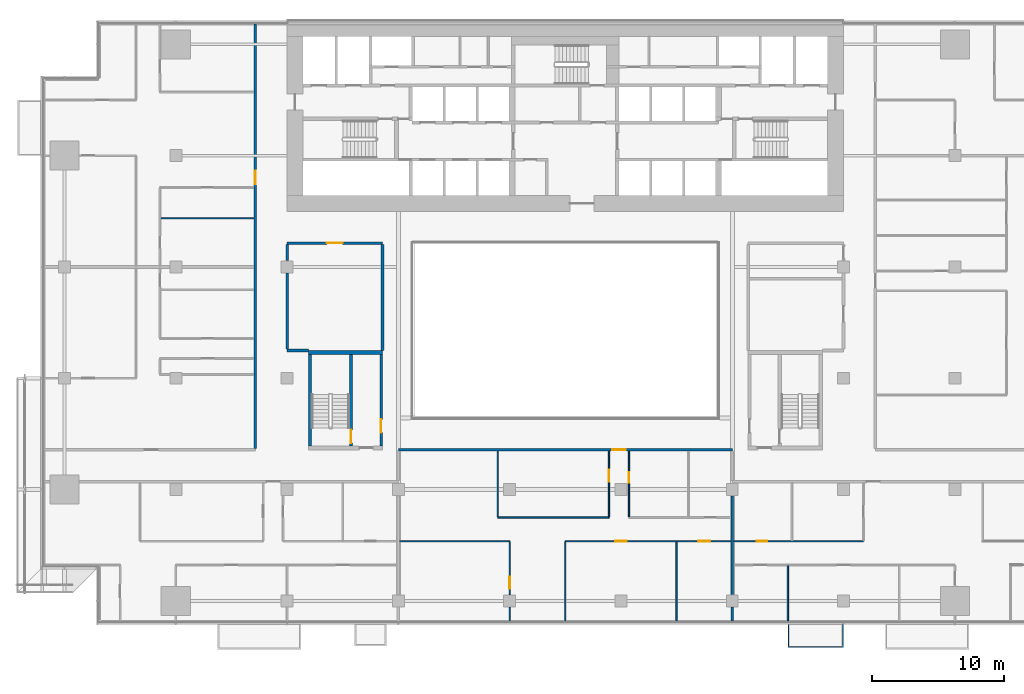
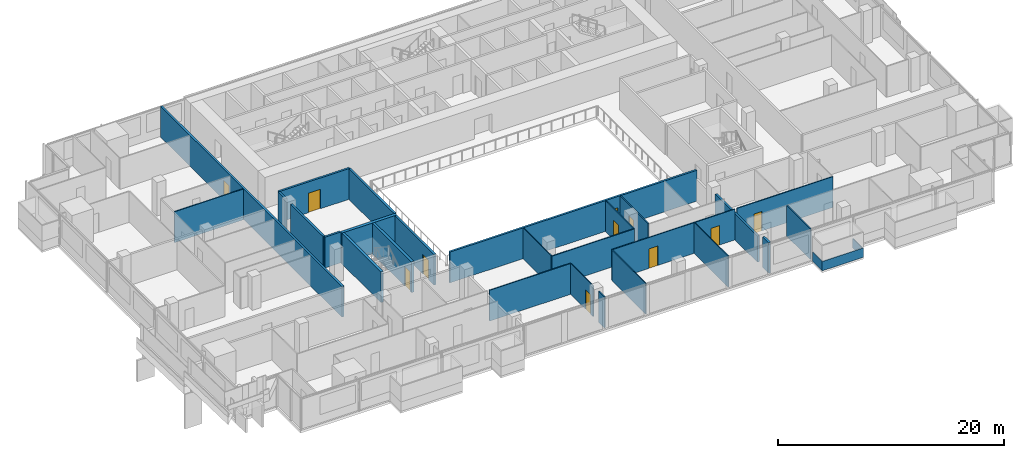
# One storey, part 19 of 29: 27 walls, 11 doors, 11 openings.
"""IFC4 building model written with IfcOpenShell, lengths in metres."""

from ifc_helpers import new_model, si_unit, direction, frame, frame_2d, origin, place, context, subcontext, project, spatial, polyline, rectangle, outline, extrude, material, layer, layer_set, type_object, element, fill, save


model = new_model("IFC4")

# Units and contexts
model_context = context("Model", 3, precision=1e-05, world=origin(), true_north=direction((0.0, 1.0)))
body_context = subcontext(model_context, "Body", "Model", "MODEL_VIEW")
ifc_project = project(units=[si_unit("LENGTHUNIT", "METRE"), si_unit("AREAUNIT", "SQUARE_METRE"), si_unit("VOLUMEUNIT", "CUBIC_METRE"), si_unit("PLANEANGLEUNIT", "RADIAN"), si_unit("MASSUNIT", "GRAM", prefix="KILO")], contexts=[model_context])

# Site, building, storey
site_placement = place(None, origin())
site = spatial("IfcSite", under=ifc_project, at=site_placement, CompositionType="ELEMENT")
building_placement = place(site_placement, origin())
building = spatial("IfcBuilding", under=site, at=building_placement, Name="Saffron Gate Tower", CompositionType="ELEMENT")
storey_placement = place(building_placement, frame((0.0, 0.0, 55.199951171875)))
storey = spatial("IfcBuildingStorey", under=building, at=storey_placement, Name="L12", CompositionType="ELEMENT", Elevation=55.199951171875)

# Wall, opening, door
ifc_material_1 = material(Name="Gypsum board partition on steel studs", Category="steel")
ifc_layer_1 = layer(ifc_material_1, 0.199951171875)
ifc_layer_set_1 = layer_set([ifc_layer_1], Name="CW10 Core partition 200")
wall_type_1 = type_object("IfcWallType", Name="CW10 Core partition 200", PredefinedType="PARTITIONING", material=ifc_layer_set_1)
wall_1_placement = place(storey_placement, frame((73.699951171875, 43.5, 0.0), z_axis=(0.0, 0.0, 1.0), x_axis=(0.0, 1.0, 0.0)))
wall_1 = element("IfcWall", 1, at=wall_1_placement, inside=storey, type_object=wall_type_1, Name="Wall CW10-L12-D-4", PredefinedType="PARTITIONING", context=body_context, shape_type="SweptSolid", body=[
    extrude(rectangle(XDim=6.89990234375, YDim=0.199951171875, at=frame_2d((3.449951171875, 0.0))), origin(), (0.0, 0.0, 1.0), 3.320068359375),
])
opening_1_placement = place(wall_1_placement, frame((1.0, 0.0, 0.0)))
opening_1 = element("IfcOpeningElement", 2, at=opening_1_placement, cuts=wall_1, Name="Opening CR-19", PredefinedType="OPENING", context=body_context, shape_type="SweptSolid", body=[
    extrude(rectangle(XDim=1.0, YDim=2.10009765625, at=frame_2d((0.5, 1.050048828125))), frame((0.0, 0.10986328125, 0.0), z_axis=(0.0, -1.0, 0.0), x_axis=(1.0, 0.0, 0.0)), (0.0, 0.0, 1.0), 0.219970703125),
])
ifc_material_2 = material(Name="Steel fire door set", Category="steel")
door_type_1 = type_object("IfcDoorType", Name="CD4 Lobby door 1000x2100 EI 120", OperationType="NOTDEFINED", PredefinedType="DOOR", material=ifc_material_2)
door_1_placement = place(opening_1_placement, origin())
door_1 = element("IfcDoor", 3, at=door_1_placement, inside=storey, type_object=door_type_1, Name="DOOR CR-19", OperationType="SINGLE_SWING_RIGHT", OverallHeight=2.10009765625, OverallWidth=1.0, PredefinedType="DOOR", context=body_context, shape_type="SweptSolid", body=[
    extrude(rectangle(XDim=1.0, YDim=2.10009765625, at=frame_2d((0.5, 1.050048828125))), frame((0.0, 0.02490234375, 0.0), z_axis=(0.0, -1.0, 0.0), x_axis=(1.0, 0.0, 0.0)), (0.0, 0.0, 1.0), 0.050048828125),
])
fill(opening_1, door_1)

# Wall
ifc_material_3 = material(Name="Concrete C70", Category="concrete")
ifc_layer_2 = layer(ifc_material_3, 0.25)
ifc_layer_set_2 = layer_set([ifc_layer_2], Name="CW2 RC core wall 250 C70")
wall_type_2 = type_object("IfcWallType", Name="CW2 RC core wall 250 C70", PredefinedType="SOLIDWALL", material=ifc_layer_set_2)
wall_2_placement = place(storey_placement, frame((68.324951171875, 43.5, 0.0), z_axis=(0.0, 0.0, 1.0), x_axis=(0.0, 1.0, 0.0)))
element("IfcWall", 4, at=wall_2_placement, inside=storey, type_object=wall_type_2, Name="Wall CW2-L12-D-2", PredefinedType="SOLIDWALL", context=body_context, shape_type="SweptSolid", body=[
    extrude(rectangle(XDim=6.89990234375, YDim=0.25, at=frame_2d((3.449951171875, 0.0))), origin(), (0.0, 0.0, 1.0), 3.320068359375),
])

# Wall, opening, door
wall_3_placement = place(storey_placement, frame((71.425048828125, 43.5, 0.0), z_axis=(0.0, 0.0, 1.0), x_axis=(0.0, 1.0, 0.0)))
wall_3 = element("IfcWall", 5, at=wall_3_placement, inside=storey, type_object=wall_type_2, Name="Wall CW2-L12-D-3", PredefinedType="SOLIDWALL", context=body_context, shape_type="SweptSolid", body=[
    extrude(rectangle(XDim=6.89990234375, YDim=0.25, at=frame_2d((3.449951171875, 0.0))), origin(), (0.0, 0.0, 1.0), 3.320068359375),
])
opening_2_placement = place(wall_3_placement, frame((0.199951171875, 0.0, 0.0)))
opening_2 = element("IfcOpeningElement", 6, at=opening_2_placement, cuts=wall_3, Name="Opening CR-20", PredefinedType="OPENING", context=body_context, shape_type="SweptSolid", body=[
    extrude(rectangle(XDim=1.0, YDim=2.10009765625, at=frame_2d((0.5, 1.050048828125))), frame((0.0, 0.135009765625, 0.0), z_axis=(0.0, -1.0, 0.0), x_axis=(1.0, 0.0, 0.0)), (0.0, 0.0, 1.0), 0.27001953125),
])
door_type_2 = type_object("IfcDoorType", Name="CD5 Stair door 1000x2100 EI 120", OperationType="NOTDEFINED", PredefinedType="DOOR", material=ifc_material_2)
door_2_placement = place(opening_2_placement, origin())
door_2 = element("IfcDoor", 7, at=door_2_placement, inside=storey, type_object=door_type_2, Name="DOOR CR-20", OperationType="SINGLE_SWING_LEFT", OverallHeight=2.10009765625, OverallWidth=1.0, PredefinedType="DOOR", context=body_context, shape_type="SweptSolid", body=[
    extrude(rectangle(XDim=1.0, YDim=2.10009765625, at=frame_2d((0.5, 1.050048828125))), frame((0.0, 0.02490234375, 0.0), z_axis=(0.0, -1.0, 0.0), x_axis=(1.0, 0.0, 0.0)), (0.0, 0.0, 1.0), 0.050048828125),
])
fill(opening_2, door_2)

# Walls
ifc_layer_3 = layer(ifc_material_3, 0.300048828125)
ifc_layer_set_3 = layer_set([ifc_layer_3], Name="CW5 RC core wall 300 C70")
wall_type_3 = type_object("IfcWallType", Name="CW5 RC core wall 300 C70", PredefinedType="SOLIDWALL", material=ifc_layer_set_3)
wall_4_placement = place(storey_placement, frame((68.199951171875, 50.550048828125, 0.0), z_axis=(0.0, 0.0, 1.0), x_axis=(1.0, 0.0, 0.0)))
element("IfcWall", 8, at=wall_4_placement, inside=storey, type_object=wall_type_3, Name="Wall CW5-L12-D-5", PredefinedType="SOLIDWALL", context=body_context, shape_type="SweptSolid", body=[
    extrude(rectangle(XDim=5.60009765625, YDim=0.300048828125, at=frame_2d((2.800048828125, 0.0))), origin(), (0.0, 0.0, 1.0), 3.320068359375),
])
ifc_material_4 = material(Name="Plasterboard on steel studs", Category="steel")
ifc_layer_4 = layer(ifc_material_4, 0.10009765625)
ifc_layer_set_4 = layer_set([ifc_layer_4], Name="PW1 Partition 100")
wall_type_4 = type_object("IfcWallType", Name="PW1 Partition 100", PredefinedType="PARTITIONING", material=ifc_layer_set_4)
wall_5_placement = place(storey_placement, frame((82.5, 38.10009765625, 0.0), z_axis=(0.0, 0.0, 1.0), x_axis=(1.0, 0.0, 0.0)))
element("IfcWall", 9, at=wall_5_placement, inside=storey, type_object=wall_type_4, Name="Partition A2-7", PredefinedType="PARTITIONING", context=body_context, shape_type="SweptSolid", body=[
    extrude(rectangle(XDim=8.39990234375, YDim=0.10009765625, at=frame_2d((4.199951171875, 0.0))), origin(), (0.0, 0.0, 1.0), 3.320068359375),
])
wall_6_placement = place(storey_placement, frame((57.050048828125, 60.6806640625, 0.0), z_axis=(0.0, 0.0, 1.0), x_axis=(1.0, 0.0, 0.0)))
element("IfcWall", 10, at=wall_6_placement, inside=storey, type_object=wall_type_4, Name="Partition A2-40", PredefinedType="PARTITIONING", context=body_context, shape_type="SweptSolid", body=[
    extrude(rectangle(XDim=7.050048828125, YDim=0.10009765625, at=frame_2d((3.52490234375, 0.0))), origin(), (0.0, 0.0, 1.0), 3.320068359375),
])
wall_7_placement = place(storey_placement, frame((82.5, 43.10009765625, 0.0), z_axis=(0.0, 0.0, 1.0), x_axis=(0.0, -1.0, 0.0)))
element("IfcWall", 11, at=wall_7_placement, inside=storey, type_object=wall_type_4, Name="Partition A2-71", PredefinedType="PARTITIONING", context=body_context, shape_type="SweptSolid", body=[
    extrude(rectangle(XDim=4.9501953125, YDim=0.10009765625, at=frame_2d((2.47509765625, 0.0))), origin(), (0.0, 0.0, 1.0), 3.320068359375),
])
wall_8_placement = place(storey_placement, frame((83.39990234375, 31.330078125, 0.0), z_axis=(0.0, 0.0, 1.0), x_axis=(0.0, -1.0, 0.0)))
element("IfcWall", 12, at=wall_8_placement, inside=storey, type_object=wall_type_4, Name="Partition A2-72", PredefinedType="PARTITIONING", context=body_context, shape_type="SweptSolid", body=[
    extrude(rectangle(XDim=1.050048828125, YDim=0.10009765625, at=frame_2d((0.52490234375, 0.0))), origin(), (0.0, 0.0, 1.0), 3.320068359375),
])

# Wall, opening, door
wall_9_placement = place(storey_placement, frame((83.39990234375, 32.27001953125, 0.0), z_axis=(0.0, 0.0, 1.0), x_axis=(0.0, 1.0, 0.0)))
wall_9 = element("IfcWall", 13, at=wall_9_placement, inside=storey, type_object=wall_type_4, Name="Partition A2-73", PredefinedType="PARTITIONING", context=body_context, shape_type="SweptSolid", body=[
    extrude(rectangle(XDim=3.97998046875, YDim=0.10009765625, at=frame_2d((1.989990234375, 0.0))), origin(), (0.0, 0.0, 1.0), 3.320068359375),
])
opening_3_placement = place(wall_9_placement, frame((0.429931640625, 0.0, 0.0)))
opening_3 = element("IfcOpeningElement", 14, at=opening_3_placement, cuts=wall_9, Name="Opening A2-12", PredefinedType="OPENING", context=body_context, shape_type="SweptSolid", body=[
    extrude(rectangle(XDim=0.89990234375, YDim=2.10009765625, at=frame_2d((0.449951171875, 1.050048828125))), frame((0.0, 0.06005859375, 0.0), z_axis=(0.0, -1.0, 0.0), x_axis=(1.0, 0.0, 0.0)), (0.0, 0.0, 1.0), 0.1201171875),
])
ifc_material_5 = material(Name="Timber door set", Category="wood")
door_type_3 = type_object("IfcDoorType", Name="RD1 Room door 900x2100", OperationType="NOTDEFINED", PredefinedType="DOOR", material=ifc_material_5)
door_3_placement = place(opening_3_placement, origin())
door_3 = element("IfcDoor", 15, at=door_3_placement, inside=storey, type_object=door_type_3, Name="Door A2-12", OperationType="SINGLE_SWING_LEFT", OverallHeight=2.10009765625, OverallWidth=0.89990234375, PredefinedType="DOOR", context=body_context, shape_type="SweptSolid", body=[
    extrude(rectangle(XDim=0.89990234375, YDim=2.10009765625, at=frame_2d((0.449951171875, 1.050048828125))), frame((0.0, 0.02490234375, 0.0), z_axis=(0.0, -1.0, 0.0), x_axis=(1.0, 0.0, 0.0)), (0.0, 0.0, 1.0), 0.050048828125),
])
fill(opening_3, door_3)

# Wall
wall_10_placement = place(storey_placement, frame((87.60009765625, 36.25, 0.0), z_axis=(0.0, 0.0, 1.0), x_axis=(0.0, -1.0, 0.0)))
element("IfcWall", 16, at=wall_10_placement, inside=storey, type_object=wall_type_4, Name="Partition A2-74", PredefinedType="PARTITIONING", context=body_context, shape_type="SweptSolid", body=[
    extrude(rectangle(XDim=5.969970703125, YDim=0.10009765625, at=frame_2d((2.98486328125, 0.0))), origin(), (0.0, 0.0, 1.0), 3.320068359375),
])

# Wall, opening, door
wall_11_placement = place(storey_placement, frame((90.89990234375, 38.14990234375, 0.0), z_axis=(0.0, 0.0, 1.0), x_axis=(0.0, 1.0, 0.0)))
wall_11 = element("IfcWall", 17, at=wall_11_placement, inside=storey, type_object=wall_type_4, Name="Partition A2-75", PredefinedType="PARTITIONING", context=body_context, shape_type="SweptSolid", body=[
    extrude(rectangle(XDim=4.9501953125, YDim=0.10009765625, at=frame_2d((2.47509765625, 0.0))), origin(), (0.0, 0.0, 1.0), 3.320068359375),
])
opening_4_placement = place(wall_11_placement, frame((2.64990234375, 0.0, 0.0)))
opening_4 = element("IfcOpeningElement", 18, at=opening_4_placement, cuts=wall_11, Name="Opening A2-15", PredefinedType="OPENING", context=body_context, shape_type="SweptSolid", body=[
    extrude(rectangle(XDim=0.89990234375, YDim=2.10009765625, at=frame_2d((0.449951171875, 1.050048828125))), frame((0.0, 0.06005859375, 0.0), z_axis=(0.0, -1.0, 0.0), x_axis=(1.0, 0.0, 0.0)), (0.0, 0.0, 1.0), 0.1201171875),
])
door_4_placement = place(opening_4_placement, origin())
door_4 = element("IfcDoor", 19, at=door_4_placement, inside=storey, type_object=door_type_3, Name="Door A2-15", OperationType="SINGLE_SWING_RIGHT", OverallHeight=2.10009765625, OverallWidth=0.89990234375, PredefinedType="DOOR", context=body_context, shape_type="SweptSolid", body=[
    extrude(rectangle(XDim=0.89990234375, YDim=2.10009765625, at=frame_2d((0.449951171875, 1.050048828125))), frame((0.0, 0.02490234375, 0.0), z_axis=(0.0, -1.0, 0.0), x_axis=(1.0, 0.0, 0.0)), (0.0, 0.0, 1.0), 0.050048828125),
])
fill(opening_4, door_4)

wall_12_placement = place(storey_placement, frame((92.39990234375, 43.10009765625, 0.0), z_axis=(0.0, 0.0, 1.0), x_axis=(0.0, -1.0, 0.0)))
wall_12 = element("IfcWall", 20, at=wall_12_placement, inside=storey, type_object=wall_type_4, Name="Partition A2-76", PredefinedType="PARTITIONING", context=body_context, shape_type="SweptSolid", body=[
    extrude(rectangle(XDim=4.9501953125, YDim=0.10009765625, at=frame_2d((2.47509765625, 0.0))), origin(), (0.0, 0.0, 1.0), 3.320068359375),
])
opening_5_placement = place(wall_12_placement, frame((1.60009765625, 0.0, 0.0)))
opening_5 = element("IfcOpeningElement", 21, at=opening_5_placement, cuts=wall_12, Name="Opening A2-35", PredefinedType="OPENING", context=body_context, shape_type="SweptSolid", body=[
    extrude(rectangle(XDim=0.800048828125, YDim=2.10009765625, at=frame_2d((0.39990234375, 1.050048828125))), frame((0.0, 0.06005859375, 0.0), z_axis=(0.0, -1.0, 0.0), x_axis=(1.0, 0.0, 0.0)), (0.0, 0.0, 1.0), 0.1201171875),
])
door_type_4 = type_object("IfcDoorType", Name="RD2 Bathroom door 800x2100", OperationType="NOTDEFINED", PredefinedType="DOOR", material=ifc_material_5)
door_5_placement = place(opening_5_placement, origin())
door_5 = element("IfcDoor", 22, at=door_5_placement, inside=storey, type_object=door_type_4, Name="Door A2-35", OperationType="SINGLE_SWING_LEFT", OverallHeight=2.10009765625, OverallWidth=0.800048828125, PredefinedType="DOOR", context=body_context, shape_type="SweptSolid", body=[
    extrude(rectangle(XDim=0.800048828125, YDim=2.10009765625, at=frame_2d((0.39990234375, 1.050048828125))), frame((0.0, 0.02490234375, 0.0), z_axis=(0.0, -1.0, 0.0), x_axis=(1.0, 0.0, 0.0)), (0.0, 0.0, 1.0), 0.050048828125),
])
fill(opening_5, door_5)

# Walls
wall_13_placement = place(storey_placement, frame((96.0, 36.25, 0.0), z_axis=(0.0, 0.0, 1.0), x_axis=(0.0, -1.0, 0.0)))
element("IfcWall", 23, at=wall_13_placement, inside=storey, type_object=wall_type_4, Name="Partition A2-77", PredefinedType="PARTITIONING", context=body_context, shape_type="SweptSolid", body=[
    extrude(rectangle(XDim=5.969970703125, YDim=0.10009765625, at=frame_2d((2.98486328125, 0.0))), origin(), (0.0, 0.0, 1.0), 3.320068359375),
])
wall_14_placement = place(storey_placement, frame((104.39990234375, 34.449951171875, 0.0), z_axis=(0.0, 0.0, 1.0), x_axis=(0.0, -1.0, 0.0)))
element("IfcWall", 24, at=wall_14_placement, inside=storey, type_object=wall_type_4, Name="Partition A2-83", PredefinedType="PARTITIONING", context=body_context, shape_type="SweptSolid", body=[
    extrude(rectangle(XDim=4.169921875, YDim=0.10009765625, at=frame_2d((2.0849609375, 0.0))), origin(), (0.0, 0.0, 1.0), 3.320068359375),
])
wall_15_placement = place(storey_placement, frame((75.10009765625, 36.300048828125, 0.0), z_axis=(0.0, 0.0, 1.0), x_axis=(1.0, 0.0, 0.0)))
element("IfcWall", 25, at=wall_15_placement, inside=storey, type_object=wall_type_4, Name="Partition A2-100", PredefinedType="PARTITIONING", context=body_context, shape_type="SweptSolid", body=[
    extrude(rectangle(XDim=8.2998046875, YDim=0.10009765625, at=frame_2d((4.14990234375, 0.0))), origin(), (0.0, 0.0, 1.0), 3.320068359375),
])

# Wall, openings, doors
wall_16_placement = place(storey_placement, frame((100.10009765625, 36.300048828125, 0.0), z_axis=(0.0, 0.0, 1.0), x_axis=(-1.0, 0.0, 0.0)))
wall_16 = element("IfcWall", 26, at=wall_16_placement, inside=storey, type_object=wall_type_4, Name="Partition A2-101", PredefinedType="PARTITIONING", context=body_context, shape_type="SweptSolid", body=[
    extrude(rectangle(XDim=12.5, YDim=0.10009765625, at=frame_2d((6.25, 0.0))), origin(), (0.0, 0.0, 1.0), 3.320068359375),
])
opening_6_placement = place(wall_16_placement, frame((1.550048828125, 0.0, 0.0)))
opening_6 = element("IfcOpeningElement", 27, at=opening_6_placement, cuts=wall_16, Name="Opening A2-14", PredefinedType="OPENING", context=body_context, shape_type="SweptSolid", body=[
    extrude(rectangle(XDim=0.89990234375, YDim=2.10009765625, at=frame_2d((0.449951171875, 1.050048828125))), frame((0.0, 0.06005859375, 0.0), z_axis=(0.0, -1.0, 0.0), x_axis=(1.0, 0.0, 0.0)), (0.0, 0.0, 1.0), 0.1201171875),
])
opening_7_placement = place(wall_16_placement, frame((7.85009765625, 0.0, 0.0)))
opening_7 = element("IfcOpeningElement", 28, at=opening_7_placement, cuts=wall_16, Name="Opening A2-13", PredefinedType="OPENING", context=body_context, shape_type="SweptSolid", body=[
    extrude(rectangle(XDim=0.89990234375, YDim=2.10009765625, at=frame_2d((0.449951171875, 1.050048828125))), frame((0.0, 0.06005859375, 0.0), z_axis=(0.0, -1.0, 0.0), x_axis=(1.0, 0.0, 0.0)), (0.0, 0.0, 1.0), 0.1201171875),
])
door_6_placement = place(opening_6_placement, origin())
door_6 = element("IfcDoor", 29, at=door_6_placement, inside=storey, type_object=door_type_3, Name="Door A2-14", OperationType="SINGLE_SWING_LEFT", OverallHeight=2.10009765625, OverallWidth=0.89990234375, PredefinedType="DOOR", context=body_context, shape_type="SweptSolid", body=[
    extrude(rectangle(XDim=0.89990234375, YDim=2.10009765625, at=frame_2d((0.449951171875, 1.050048828125))), frame((0.0, 0.02490234375, 0.0), z_axis=(0.0, -1.0, 0.0), x_axis=(1.0, 0.0, 0.0)), (0.0, 0.0, 1.0), 0.050048828125),
])
fill(opening_6, door_6)
door_7_placement = place(opening_7_placement, origin())
door_7 = element("IfcDoor", 30, at=door_7_placement, inside=storey, type_object=door_type_3, Name="Door A2-13", OperationType="SINGLE_SWING_RIGHT", OverallHeight=2.10009765625, OverallWidth=0.89990234375, PredefinedType="DOOR", context=body_context, shape_type="SweptSolid", body=[
    extrude(rectangle(XDim=0.89990234375, YDim=2.10009765625, at=frame_2d((0.449951171875, 1.050048828125))), frame((0.0, 0.02490234375, 0.0), z_axis=(0.0, -1.0, 0.0), x_axis=(1.0, 0.0, 0.0)), (0.0, 0.0, 1.0), 0.050048828125),
])
fill(opening_7, door_7)

# Wall, opening, door
wall_17_placement = place(storey_placement, frame((100.300048828125, 36.300048828125, 0.0), z_axis=(0.0, 0.0, 1.0), x_axis=(1.0, 0.0, 0.0)))
wall_17 = element("IfcWall", 31, at=wall_17_placement, inside=storey, type_object=wall_type_4, Name="Partition A2-102", PredefinedType="PARTITIONING", context=body_context, shape_type="SweptSolid", body=[
    extrude(rectangle(XDim=9.800048828125, YDim=0.10009765625, at=frame_2d((4.89990234375, 0.0))), origin(), (0.0, 0.0, 1.0), 3.320068359375),
])
opening_8_placement = place(wall_17_placement, frame((1.75, 0.0, 0.0)))
opening_8 = element("IfcOpeningElement", 32, at=opening_8_placement, cuts=wall_17, Name="Opening A2-37", PredefinedType="OPENING", context=body_context, shape_type="SweptSolid", body=[
    extrude(rectangle(XDim=0.800048828125, YDim=2.10009765625, at=frame_2d((0.39990234375, 1.050048828125))), frame((0.0, 0.06005859375, 0.0), z_axis=(0.0, -1.0, 0.0), x_axis=(1.0, 0.0, 0.0)), (0.0, 0.0, 1.0), 0.1201171875),
])
door_8_placement = place(opening_8_placement, origin())
door_8 = element("IfcDoor", 33, at=door_8_placement, inside=storey, type_object=door_type_4, Name="Door A2-37", OperationType="SINGLE_SWING_LEFT", OverallHeight=2.10009765625, OverallWidth=0.800048828125, PredefinedType="DOOR", context=body_context, shape_type="SweptSolid", body=[
    extrude(rectangle(XDim=0.800048828125, YDim=2.10009765625, at=frame_2d((0.39990234375, 1.050048828125))), frame((0.0, 0.02490234375, 0.0), z_axis=(0.0, -1.0, 0.0), x_axis=(1.0, 0.0, 0.0)), (0.0, 0.0, 1.0), 0.050048828125),
])
fill(opening_8, door_8)

# Walls
ifc_material_6 = material(Name="Clay brick masonry, rendered", Category="masonry")
ifc_layer_5 = layer(ifc_material_6, 0.199951171875)
ifc_layer_set_5 = layer_set([ifc_layer_5], Name="PW2 Demising wall 200")
wall_type_5 = type_object("IfcWallType", Name="PW2 Demising wall 200", PredefinedType="PARTITIONING", material=ifc_layer_set_5)
wall_18_placement = place(storey_placement, frame((100.199951171875, 31.330078125, 0.0), z_axis=(0.0, 0.0, 1.0), x_axis=(0.0, -1.0, 0.0)))
element("IfcWall", 34, at=wall_18_placement, inside=storey, type_object=wall_type_5, Name="Wall A2-80", PredefinedType="PARTITIONING", context=body_context, shape_type="SweptSolid", body=[
    extrude(rectangle(XDim=1.050048828125, YDim=0.199951171875, at=frame_2d((0.52490234375, 0.0))), origin(), (0.0, 0.0, 1.0), 3.320068359375),
])
wall_19_placement = place(storey_placement, frame((100.199951171875, 39.72998046875, 0.0), z_axis=(0.0, 0.0, 1.0), x_axis=(0.0, -1.0, 0.0)))
element("IfcWall", 35, at=wall_19_placement, inside=storey, type_object=wall_type_5, Name="Wall A2-81", PredefinedType="PARTITIONING", context=body_context, shape_type="SweptSolid", body=[
    extrude(rectangle(XDim=7.4599609375, YDim=0.199951171875, at=frame_2d((3.72998046875, 0.0))), origin(), (0.0, 0.0, 1.0), 2.830078125),
])

# Wall, opening, door
ifc_layer_6 = layer(ifc_material_6, 0.199951171875)
ifc_layer_set_6 = layer_set([ifc_layer_6], Name="PW3 Corridor wall 200")
wall_type_6 = type_object("IfcWallType", Name="PW3 Corridor wall 200", PredefinedType="PARTITIONING", material=ifc_layer_set_6)
wall_20_placement = place(storey_placement, frame((100.199951171875, 43.199951171875, 0.0), z_axis=(0.0, 0.0, 1.0), x_axis=(-1.0, 0.0, 0.0)))
wall_20 = element("IfcWall", 36, at=wall_20_placement, inside=storey, type_object=wall_type_6, Name="Wall A2-14", PredefinedType="PARTITIONING", context=body_context, shape_type="SweptSolid", body=[
    extrude(rectangle(XDim=25.199951171875, YDim=0.199951171875, at=frame_2d((12.60009765625, 0.0))), origin(), (0.0, 0.0, 1.0), 3.320068359375),
])
opening_9_placement = place(wall_20_placement, frame((8.050048828125, 0.0, 0.0)))
opening_9 = element("IfcOpeningElement", 37, at=opening_9_placement, cuts=wall_20, Name="Opening A2-2", PredefinedType="OPENING", context=body_context, shape_type="SweptSolid", body=[
    extrude(rectangle(XDim=1.0, YDim=2.10009765625, at=frame_2d((0.5, 1.050048828125))), frame((0.0, 0.10986328125, 0.0), z_axis=(0.0, -1.0, 0.0), x_axis=(1.0, 0.0, 0.0)), (0.0, 0.0, 1.0), 0.219970703125),
])
ifc_material_7 = material(Name="Timber fire door set", Category="wood")
door_type_5 = type_object("IfcDoorType", Name="FD1 Flat entry door 1000x2100", OperationType="NOTDEFINED", PredefinedType="DOOR", material=ifc_material_7)
door_9_placement = place(opening_9_placement, origin())
door_9 = element("IfcDoor", 38, at=door_9_placement, inside=storey, type_object=door_type_5, Name="Door A2-2", OperationType="SINGLE_SWING_RIGHT", OverallHeight=2.10009765625, OverallWidth=1.0, PredefinedType="DOOR", context=body_context, shape_type="SweptSolid", body=[
    extrude(rectangle(XDim=1.0, YDim=2.10009765625, at=frame_2d((0.5, 1.050048828125))), frame((0.0, 0.02490234375, 0.0), z_axis=(0.0, -1.0, 0.0), x_axis=(1.0, 0.0, 0.0)), (0.0, 0.0, 1.0), 0.050048828125),
])
fill(opening_9, door_9)

# Wall
wall_21_placement = place(storey_placement, frame((66.60009765625, 50.699951171875, 0.0), z_axis=(0.0, 0.0, 1.0), x_axis=(1.0, 0.0, 0.0)))
element("IfcWall", 39, at=wall_21_placement, inside=storey, type_object=wall_type_6, Name="Wall A2-24", PredefinedType="PARTITIONING", context=body_context, shape_type="SweptSolid", body=[
    extrude(rectangle(XDim=1.599853515625, YDim=0.199951171875, at=frame_2d((0.7998046875, 0.0))), origin(), (0.0, 0.0, 1.0), 3.320068359375),
])

# Wall, opening, door
wall_22_placement = place(storey_placement, frame((73.800048828125, 58.800048828125, 0.0), z_axis=(0.0, 0.0, 1.0), x_axis=(-1.0, 0.0, 0.0)))
wall_22 = element("IfcWall", 40, at=wall_22_placement, inside=storey, type_object=wall_type_6, Name="Wall A2-37", PredefinedType="PARTITIONING", context=body_context, shape_type="SweptSolid", body=[
    extrude(rectangle(XDim=7.199951171875, YDim=0.199951171875, at=frame_2d((3.60009765625, 0.0))), origin(), (0.0, 0.0, 1.0), 3.320068359375),
])
opening_10_placement = place(wall_22_placement, frame((3.0, 0.0, 0.0)))
opening_10 = element("IfcOpeningElement", 41, at=opening_10_placement, cuts=wall_22, Name="Opening A2-46", PredefinedType="OPENING", context=body_context, shape_type="SweptSolid", body=[
    extrude(rectangle(XDim=1.199951171875, YDim=2.10009765625, at=frame_2d((0.60009765625, 1.050048828125))), frame((0.0, 0.10986328125, 0.0), z_axis=(0.0, -1.0, 0.0), x_axis=(1.0, 0.0, 0.0)), (0.0, 0.0, 1.0), 0.219970703125),
])
door_type_6 = type_object("IfcDoorType", Name="HD1 Hall door 1200x2100", OperationType="NOTDEFINED", PredefinedType="DOOR", material=ifc_material_5)
door_10_placement = place(opening_10_placement, origin())
door_10 = element("IfcDoor", 42, at=door_10_placement, inside=storey, type_object=door_type_6, Name="Door A2-46", OperationType="SINGLE_SWING_LEFT", OverallHeight=2.10009765625, OverallWidth=1.199951171875, PredefinedType="DOOR", context=body_context, shape_type="SweptSolid", body=[
    extrude(rectangle(XDim=1.199951171875, YDim=2.10009765625, at=frame_2d((0.60009765625, 1.050048828125))), frame((0.0, 0.02490234375, 0.0), z_axis=(0.0, -1.0, 0.0), x_axis=(1.0, 0.0, 0.0)), (0.0, 0.0, 1.0), 0.050048828125),
])
fill(opening_10, door_10)

wall_23_placement = place(storey_placement, frame((64.199951171875, 43.300048828125, 0.0), z_axis=(0.0, 0.0, 1.0), x_axis=(0.0, 1.0, 0.0)))
wall_23 = element("IfcWall", 43, at=wall_23_placement, inside=storey, type_object=wall_type_6, Name="Wall A2-59", PredefinedType="PARTITIONING", context=body_context, shape_type="SweptSolid", body=[
    extrude(rectangle(XDim=32.02001953125, YDim=0.199951171875, at=frame_2d((16.010009765625, 0.0))), origin(), (0.0, 0.0, 1.0), 3.320068359375),
])
opening_11_placement = place(wall_23_placement, frame((19.949951171875, 0.0, 0.0)))
opening_11 = element("IfcOpeningElement", 44, at=opening_11_placement, cuts=wall_23, Name="Opening A2-5", PredefinedType="OPENING", context=body_context, shape_type="SweptSolid", body=[
    extrude(rectangle(XDim=1.0, YDim=2.10009765625, at=frame_2d((0.5, 1.050048828125))), frame((0.0, 0.10986328125, 0.0), z_axis=(0.0, -1.0, 0.0), x_axis=(1.0, 0.0, 0.0)), (0.0, 0.0, 1.0), 0.219970703125),
])
door_11_placement = place(opening_11_placement, origin())
door_11 = element("IfcDoor", 45, at=door_11_placement, inside=storey, type_object=door_type_5, Name="Door A2-5", OperationType="SINGLE_SWING_RIGHT", OverallHeight=2.10009765625, OverallWidth=1.0, PredefinedType="DOOR", context=body_context, shape_type="SweptSolid", body=[
    extrude(rectangle(XDim=1.0, YDim=2.10009765625, at=frame_2d((0.5, 1.050048828125))), frame((0.0, 0.02490234375, 0.0), z_axis=(0.0, -1.0, 0.0), x_axis=(1.0, 0.0, 0.0)), (0.0, 0.0, 1.0), 0.050048828125),
])
fill(opening_11, door_11)

# Walls
wall_24_placement = place(storey_placement, frame((66.60009765625, 56.530029296875, 0.0), z_axis=(0.0, 0.0, 1.0), x_axis=(0.0, -1.0, 0.0)))
element("IfcWall", 46, at=wall_24_placement, inside=storey, type_object=wall_type_6, Name="Wall A2-62", PredefinedType="PARTITIONING", context=body_context, shape_type="SweptSolid", body=[
    extrude(rectangle(XDim=5.72998046875, YDim=0.199951171875, at=frame_2d((2.864990234375, 0.0))), origin(), (0.0, 0.0, 1.0), 3.320068359375),
])
wall_25_placement = place(storey_placement, frame((66.60009765625, 58.699951171875, 0.0), z_axis=(0.0, 0.0, 1.0), x_axis=(0.0, -1.0, 0.0)))
element("IfcWall", 47, at=wall_25_placement, inside=storey, type_object=wall_type_6, Name="Wall A2-63", PredefinedType="PARTITIONING", context=body_context, shape_type="SweptSolid", body=[
    extrude(rectangle(XDim=1.22998046875, YDim=0.199951171875, at=frame_2d((0.614990234375, 0.0))), origin(), (0.0, 0.0, 1.0), 3.320068359375),
])
wall_26_placement = place(storey_placement, frame((73.800048828125, 58.699951171875, 0.0), z_axis=(0.0, 0.0, 1.0), x_axis=(0.0, -1.0, 0.0)))
element("IfcWall", 48, at=wall_26_placement, inside=storey, type_object=wall_type_6, Name="Wall A2-67", PredefinedType="PARTITIONING", context=body_context, shape_type="SweptSolid", body=[
    extrude(rectangle(XDim=8.0, YDim=0.199951171875, at=frame_2d((4.0, 0.0))), origin(), (0.0, 0.0, 1.0), 3.320068359375),
])
ifc_material_8 = material(Name="Rendered insulated panel, white")
ifc_layer_7 = layer(ifc_material_8, 0.10009765625)
ifc_layer_set_7 = layer_set([ifc_layer_7], Name="WB3 box parapet white")
wall_type_7 = type_object("IfcWallType", Name="WB3 box parapet white", PredefinedType="SOLIDWALL", material=ifc_layer_set_7)
wall_27_placement = place(storey_placement, origin())
element("IfcWall", 49, at=wall_27_placement, inside=storey, type_object=wall_type_7, Name="WINDOW BOX parapet", PredefinedType="SOLIDWALL", context=body_context, shape_type="SweptSolid", body=[
    extrude(outline(polyline([(104.39990234375, 30.0), (104.5, 30.0), (104.5, 28.366943359375), (108.5, 28.366943359375), (108.5, 30.0), (108.60009765625, 30.0), (108.60009765625, 28.26708984375), (104.39990234375, 28.26708984375), (104.39990234375, 30.0)])), origin(), (0.0, 0.0, 1.0), 1.0),
])

save(model, "model.ifc")
